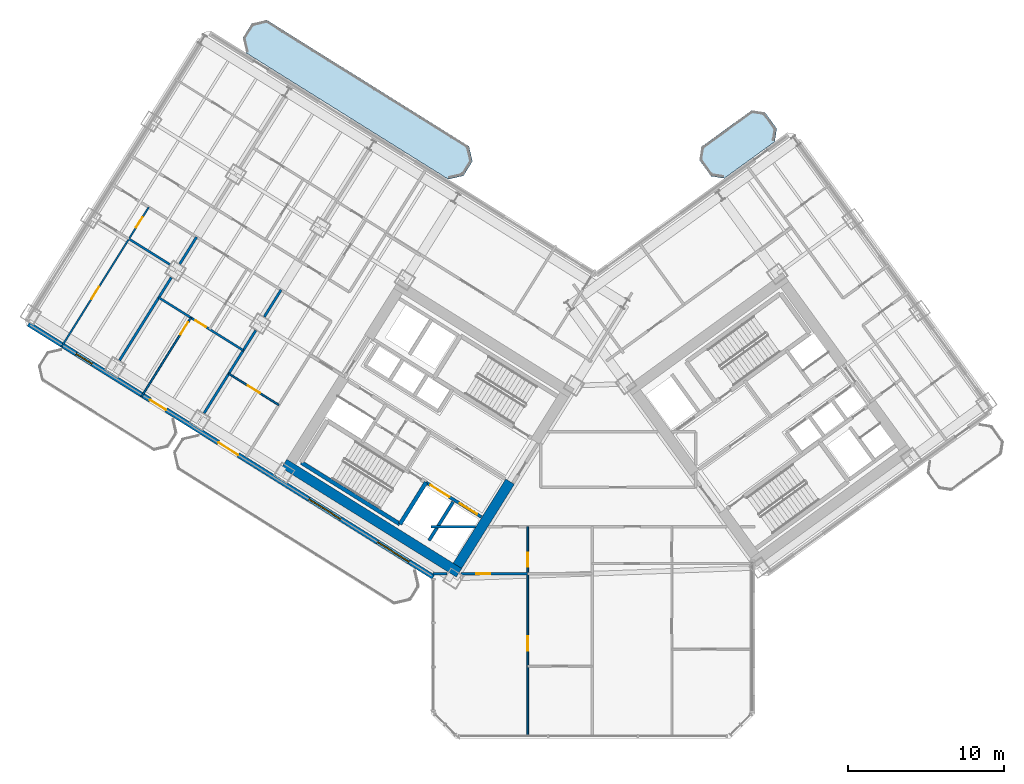
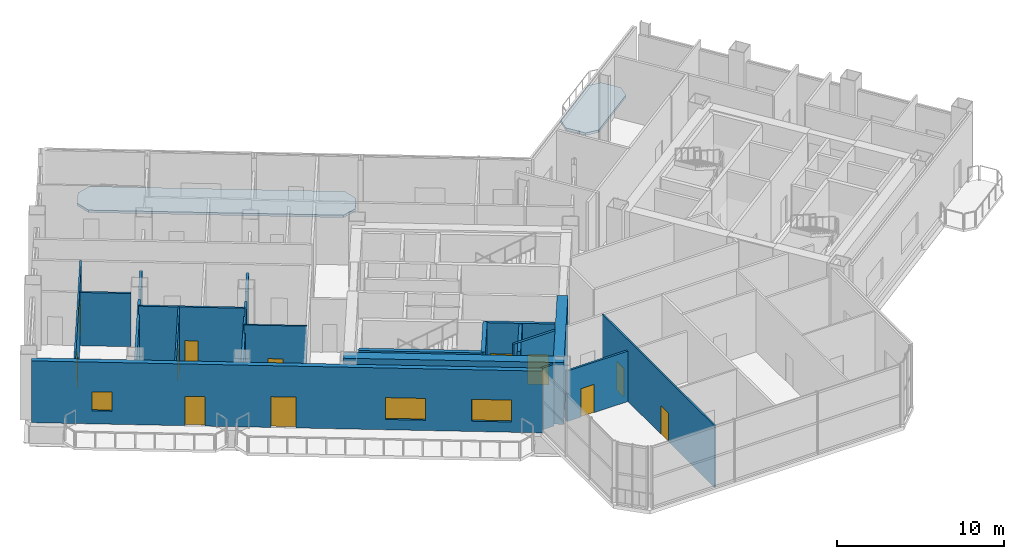
# One storey, part 12 of 22: 20 walls, 12 doors, 3 windows, 2 slabs, 15 openings.
"""IFC4 building model written with IfcOpenShell, lengths in metres."""

from ifc_helpers import new_model, si_unit, direction, frame, frame_2d, origin, place, context, subcontext, project, spatial, polyline, rectangle, outline, extrude, source, transform, mapped, material, layer, layer_set, type_object, element, fill, save


model = new_model("IFC4")

# Units and contexts
model_context = context("Model", 3, precision=1e-05, world=origin(), true_north=direction((0.0, 1.0)))
body_context = subcontext(model_context, "Body", "Model", "MODEL_VIEW")
ifc_project = project(units=[si_unit("LENGTHUNIT", "METRE"), si_unit("AREAUNIT", "SQUARE_METRE"), si_unit("VOLUMEUNIT", "CUBIC_METRE"), si_unit("PLANEANGLEUNIT", "RADIAN"), si_unit("MASSUNIT", "GRAM", prefix="KILO")], contexts=[model_context])

# Site, building, storey
site_placement = place(None, origin())
site = spatial("IfcSite", under=ifc_project, at=site_placement, CompositionType="ELEMENT")
building_placement = place(site_placement, origin())
building = spatial("IfcBuilding", under=site, at=building_placement, Name="Tlacorven Tower", CompositionType="ELEMENT")
storey_placement = place(building_placement, frame((0.0, 0.0, 71.699951171875)))
storey = spatial("IfcBuildingStorey", under=building, at=storey_placement, Name="L18", CompositionType="ELEMENT", Elevation=71.699951171875)

# Slabs
ifc_material_1 = material(Name="Precast concrete C45/55", Category="concrete")
ifc_layer_1 = layer(ifc_material_1, 0.179931640625)
ifc_layer_set_1 = layer_set([ifc_layer_1], Name="Precast concrete C45/55")
slab_type = type_object("IfcSlabType", Name="SL-BAL-180", PredefinedType="USERDEFINED", material=ifc_layer_set_1)
slab_1_placement = place(storey_placement, frame((0.0, 0.0, -0.179931640625)))
element("IfcSlab", 1, at=slab_1_placement, inside=storey, type_object=slab_type, Name="L18 West Wing Balcony Ribbon IN", ObjectType="BALCONY SLAB", PredefinedType="USERDEFINED", context=body_context, shape_type="SweptSolid", body=[
    extrude(outline(polyline([(34.0419921875, 39.835693359375), (21.06689453125, 47.943359375), (20.102294921875, 47.720703125), (19.52197265625, 46.7919921875), (19.744873046875, 45.827392578125), (32.719970703125, 37.7197265625), (33.6845703125, 37.9423828125), (34.2646484375, 38.87109375), (34.0419921875, 39.835693359375)])), origin(), (0.0, 0.0, 1.0), 0.179931640625),
])
slab_2_placement = place(storey_placement, frame((0.0, 0.0, -0.179931640625)))
element("IfcSlab", 2, at=slab_2_placement, inside=storey, type_object=slab_type, Name="L18 East Wing Balcony Ribbon IN", ObjectType="BALCONY SLAB", PredefinedType="USERDEFINED", context=body_context, shape_type="SweptSolid", body=[
    extrude(outline(polyline([(50.433837890625, 37.77880859375), (53.669921875, 40.1298828125), (53.802490234375, 40.968017578125), (53.04150390625, 42.015625), (52.203369140625, 42.1484375), (48.96728515625, 39.79736328125), (48.83447265625, 38.959228515625), (49.595703125, 37.91162109375), (50.433837890625, 37.77880859375)])), origin(), (0.0, 0.0, 1.0), 0.179931640625),
])

# Walls
ifc_material_2 = material(Name="Concrete C60/75", Category="concrete")
ifc_layer_2 = layer(ifc_material_2, 0.64990234375)
ifc_layer_set_2 = layer_set([ifc_layer_2], Name="Concrete C60/75")
wall_type_1 = type_object("IfcWallType", Name="WL-COR-650", PredefinedType="SHEAR", material=ifc_layer_set_2)
wall_1_placement = place(storey_placement, frame((33.40869140625, 12.449951171875, 0.0), z_axis=(0.0, 0.0, 1.0), x_axis=(-0.848051132073, 0.529914405721, 0.0)))
element("IfcWall", 3, at=wall_1_placement, inside=storey, type_object=wall_type_1, Name="L18 W core shear wall S2", PredefinedType="SHEAR", context=body_context, shape_type="SweptSolid", body=[
    extrude(rectangle(XDim=13.239990234375, YDim=0.64990234375, at=frame_2d((6.6201171875, 0.0))), origin(), (0.0, 0.0, 1.0), 4.52001953125),
])
wall_2_placement = place(storey_placement, frame((36.683349609375, 18.30419921875, 0.0), z_axis=(0.0, 0.0, 1.0), x_axis=(-0.529899109053, -0.848060690178, 0.0)))
element("IfcWall", 4, at=wall_2_placement, inside=storey, type_object=wall_type_1, Name="L18 W core end wall E1.2", PredefinedType="SHEAR", context=body_context, shape_type="SweptSolid", body=[
    extrude(rectangle(XDim=6.375244140625, YDim=0.64990234375, at=frame_2d((3.1875, 0.0))), origin(), (0.0, 0.0, 1.0), 4.52001953125),
])
ifc_material_3 = material(Name="Gypsum plasterboard acoustic partition", Category="gypsum")
ifc_layer_3 = layer(ifc_material_3, 0.159912109375)
ifc_layer_set_3 = layer_set([ifc_layer_3], Name="Gypsum plasterboard acoustic partition")
wall_type_2 = type_object("IfcWallType", Name="WL-DEM-160", PredefinedType="PARTITIONING", material=ifc_layer_set_3)
wall_3_placement = place(storey_placement, frame((21.9833984375, 30.614501953125, 0.0), z_axis=(0.0, 0.0, 1.0), x_axis=(-0.529966635742, -0.848018493313, 0.0)))
element("IfcWall", 5, at=wall_3_placement, inside=storey, type_object=wall_type_2, Name="L18 WN Demising Wall 1", PredefinedType="PARTITIONING", context=body_context, shape_type="SweptSolid", body=[
    extrude(rectangle(XDim=2.0380859375, YDim=0.159912109375, at=frame_2d((1.01904296875, 0.0))), origin(), (0.0, 0.0, 1.0), 3.89501953125),
])
wall_4_placement = place(storey_placement, frame((20.360595703125, 28.017822265625, 0.0), z_axis=(0.0, 0.0, 1.0), x_axis=(-0.529915015264, -0.848050751193, 0.0)))
element("IfcWall", 6, at=wall_4_placement, inside=storey, type_object=wall_type_2, Name="L18 WN Demising Wall 1", PredefinedType="PARTITIONING", context=body_context, shape_type="SweptSolid", body=[
    extrude(rectangle(XDim=6.27587890625, YDim=0.159912109375, at=frame_2d((3.137939453125, 0.0))), origin(), (0.0, 0.0, 1.0), 3.89501953125),
])
wall_5_placement = place(storey_placement, frame((16.555908203125, 34.006103515625, 0.0), z_axis=(0.0, 0.0, 1.0), x_axis=(-0.529966635742, -0.848018493313, 0.0)))
element("IfcWall", 7, at=wall_5_placement, inside=storey, type_object=wall_type_2, Name="L18 WN Demising Wall 2", PredefinedType="PARTITIONING", context=body_context, shape_type="SweptSolid", body=[
    extrude(rectangle(XDim=2.0380859375, YDim=0.159912109375, at=frame_2d((1.01904296875, 0.0))), origin(), (0.0, 0.0, 1.0), 3.89501953125),
])
wall_6_placement = place(storey_placement, frame((14.93310546875, 31.409423828125, 0.0), z_axis=(0.0, 0.0, 1.0), x_axis=(-0.529897533635, -0.848061674554, 0.0)))
element("IfcWall", 8, at=wall_6_placement, inside=storey, type_object=wall_type_2, Name="L18 WN Demising Wall 2", PredefinedType="PARTITIONING", context=body_context, shape_type="SweptSolid", body=[
    extrude(rectangle(XDim=6.276123046875, YDim=0.159912109375, at=frame_2d((3.13818359375, 0.0))), origin(), (0.0, 0.0, 1.0), 3.89501953125),
])
wall_7_placement = place(storey_placement, frame((31.60009765625, 15.419921875, 0.0), z_axis=(0.0, 0.0, 1.0), x_axis=(1.0, 0.0, 0.0)))
element("IfcWall", 9, at=wall_7_placement, inside=storey, type_object=wall_type_2, Name="L18 Knuckle Corridor South Wall", PredefinedType="PARTITIONING", context=body_context, shape_type="SweptSolid", body=[
    extrude(rectangle(XDim=2.8662109375, YDim=0.159912109375, at=frame_2d((1.43310546875, 0.0))), origin(), (0.0, 0.0, 1.0), 4.510009765625),
])

# Wall, openings, doors, windows
ifc_layer_4 = layer(ifc_material_1, 0.320068359375)
ifc_layer_set_4 = layer_set([ifc_layer_4], Name="Precast concrete C45/55")
wall_type_3 = type_object("IfcWallType", Name="WL-EXT-320", PredefinedType="STANDARD", material=ifc_layer_set_4)
wall_8_placement = place(storey_placement, frame((31.760009765625, 12.18310546875, 0.0), z_axis=(0.0, 0.0, 1.0), x_axis=(-0.848047074256, 0.529920899612, 0.0)))
wall_8 = element("IfcWall", 10, at=wall_8_placement, inside=storey, type_object=wall_type_3, Name="L18 Masonry-Frame Recessed Facade Wall 1", PredefinedType="STANDARD", context=body_context, shape_type="SweptSolid", body=[
    extrude(rectangle(XDim=30.652099609375, YDim=0.320068359375, at=frame_2d((15.326171875, 0.0))), origin(), (0.0, 0.0, 1.0), 4.52001953125),
])
opening_1_placement = place(wall_8_placement, frame((20.2412109375, 0.0, 0.0)))
opening_1 = element("IfcOpeningElement", 11, at=opening_1_placement, cuts=wall_8, Name="Opening D05", PredefinedType="OPENING", context=body_context, shape_type="SweptSolid", body=[
    extrude(rectangle(XDim=1.199951171875, YDim=2.14990234375, at=frame_2d((0.60009765625, 1.074951171875))), frame((0.0, 0.169921875, 0.0), z_axis=(0.0, -1.0, 0.0), x_axis=(1.0, 0.0, 0.0)), (0.0, 0.0, 1.0), 0.340087890625),
])
opening_2_placement = place(wall_8_placement, frame((14.781494140625, 0.0, 0.0)))
opening_2 = element("IfcOpeningElement", 12, at=opening_2_placement, cuts=wall_8, Name="Opening D04", PredefinedType="OPENING", context=body_context, shape_type="SweptSolid", body=[
    extrude(rectangle(XDim=1.5, YDim=2.25, at=frame_2d((0.75, 1.125))), frame((0.0, 0.169921875, 0.0), z_axis=(0.0, -1.0, 0.0), x_axis=(1.0, 0.0, 0.0)), (0.0, 0.0, 1.0), 0.340087890625),
])
opening_3_placement = place(wall_8_placement, frame((1.839599609375, 0.0, 0.75)))
opening_3 = element("IfcOpeningElement", 13, at=opening_3_placement, cuts=wall_8, Name="Opening WN06", PredefinedType="OPENING", context=body_context, shape_type="SweptSolid", body=[
    extrude(rectangle(XDim=2.39990234375, YDim=1.60009765625, at=frame_2d((1.199951171875, 0.800048828125))), frame((0.0, 0.169921875, 0.0), z_axis=(0.0, -1.0, 0.0), x_axis=(1.0, 0.0, 0.0)), (0.0, 0.0, 1.0), 0.340087890625),
])
opening_4_placement = place(wall_8_placement, frame((7.018798828125, 0.0, 0.75)))
opening_4 = element("IfcOpeningElement", 14, at=opening_4_placement, cuts=wall_8, Name="Opening WN06", PredefinedType="OPENING", context=body_context, shape_type="SweptSolid", body=[
    extrude(rectangle(XDim=2.39990234375, YDim=1.60009765625, at=frame_2d((1.199951171875, 0.800048828125))), frame((0.0, 0.169921875, 0.0), z_axis=(0.0, -1.0, 0.0), x_axis=(1.0, 0.0, 0.0)), (0.0, 0.0, 1.0), 0.340087890625),
])
opening_5_placement = place(wall_8_placement, frame((25.8408203125, 0.0, 0.949951171875)))
opening_5 = element("IfcOpeningElement", 15, at=opening_5_placement, cuts=wall_8, Name="Opening WN03", PredefinedType="OPENING", context=body_context, shape_type="SweptSolid", body=[
    extrude(rectangle(XDim=1.199951171875, YDim=1.39990234375, at=frame_2d((0.60009765625, 0.699951171875))), frame((0.0, 0.169921875, 0.0), z_axis=(0.0, -1.0, 0.0), x_axis=(1.0, 0.0, 0.0)), (0.0, 0.0, 1.0), 0.340087890625),
])
ifc_material_4 = material(Name="Powder-coated aluminium and timber door", Category="wood")
door_type_1 = type_object("IfcDoorType", Name="DR-EXT-BALC-1200", OperationType="NOTDEFINED", PredefinedType="DOOR", material=ifc_material_4)
shared_shape_1 = source(origin(), body_context, "Body", "SweptSolid", [
    extrude(rectangle(XDim=1.199951171875, YDim=2.14990234375, at=frame_2d((0.60009765625, 1.074951171875))), frame((0.0, 0.02490234375, 0.0), z_axis=(0.0, -1.0, 0.0), x_axis=(1.0, 0.0, 0.0)), (0.0, 0.0, 1.0), 0.050048828125),
])
door_1_placement = place(opening_1_placement, origin())
door_1 = element("IfcDoor", 16, at=door_1_placement, inside=storey, type_object=door_type_1, Name="L18 Outdoor Access Door BAL-L18-W-OUT", OperationType="SINGLE_SWING_LEFT", OverallHeight=2.14990234375, OverallWidth=1.199951171875, PredefinedType="DOOR", context=body_context, shape_type="MappedRepresentation", body=[
    mapped(shared_shape_1, transform((0.0, 0.0, 0.0), scale=1.0)),
])
fill(opening_1, door_1)
ifc_material_5 = material(Name="Dark solar low-E double glazing in anodised aluminium frame", Category="aluminium")
window_type_1 = type_object("IfcWindowType", Name="WN-APT-1200X1500", PartitioningType="SINGLE_PANEL", PredefinedType="WINDOW", material=ifc_material_5)
shared_shape_2 = source(origin(), body_context, "Body", "SweptSolid", [
    extrude(rectangle(XDim=1.199951171875, YDim=1.39990234375, at=frame_2d((0.60009765625, 0.699951171875))), frame((0.0, 0.030029296875, 0.0), z_axis=(0.0, -1.0, 0.0), x_axis=(1.0, 0.0, 0.0)), (0.0, 0.0, 1.0), 0.06005859375),
])
window_1_placement = place(opening_5_placement, origin())
window_1 = element("IfcWindow", 17, at=window_1_placement, inside=storey, type_object=window_type_1, Name="L18 Recessed Masonry-Frame Window L18-01.3", OverallHeight=1.39990234375, OverallWidth=1.199951171875, PartitioningType="SINGLE_PANEL", PredefinedType="WINDOW", context=body_context, shape_type="MappedRepresentation", body=[
    mapped(shared_shape_2, transform((0.0, 0.0, 0.0), scale=1.0)),
])
fill(opening_5, window_1)
door_type_2 = type_object("IfcDoorType", Name="DR-EXT-TERR-1500", OperationType="DOUBLE_DOOR_SINGLE_SWING", PredefinedType="DOOR", material=ifc_material_4)
shared_shape_3 = source(origin(), body_context, "Body", "SweptSolid", [
    extrude(rectangle(XDim=1.5, YDim=2.25, at=frame_2d((0.75, 1.125))), frame((0.0, 0.02490234375, 0.0), z_axis=(0.0, -1.0, 0.0), x_axis=(1.0, 0.0, 0.0)), (0.0, 0.0, 1.0), 0.050048828125),
])
door_2_placement = place(opening_2_placement, origin())
door_2 = element("IfcDoor", 18, at=door_2_placement, inside=storey, type_object=door_type_2, Name="L18 Outdoor Access Door TER-L18-SGW", OperationType="DOUBLE_DOOR_SINGLE_SWING", OverallHeight=2.25, OverallWidth=1.5, PredefinedType="DOOR", context=body_context, shape_type="MappedRepresentation", body=[
    mapped(shared_shape_3, transform((0.0, 0.0, 0.0), scale=1.0)),
])
fill(opening_2, door_2)
window_type_2 = type_object("IfcWindowType", Name="WN-APT-2400X1800", PartitioningType="SINGLE_PANEL", PredefinedType="WINDOW", material=ifc_material_5)
shared_shape_4 = source(origin(), body_context, "Body", "SweptSolid", [
    extrude(rectangle(XDim=2.39990234375, YDim=1.60009765625, at=frame_2d((1.199951171875, 0.800048828125))), frame((0.0, 0.030029296875, 0.0), z_axis=(0.0, -1.0, 0.0), x_axis=(1.0, 0.0, 0.0)), (0.0, 0.0, 1.0), 0.06005859375),
])
window_2_placement = place(opening_3_placement, origin())
window_2 = element("IfcWindow", 19, at=window_2_placement, inside=storey, type_object=window_type_2, Name="L18 Recessed Masonry-Frame Window L18-01.1", OverallHeight=1.60009765625, OverallWidth=2.39990234375, PartitioningType="SINGLE_PANEL", PredefinedType="WINDOW", context=body_context, shape_type="MappedRepresentation", body=[
    mapped(shared_shape_4, transform((0.0, 0.0, 0.0), scale=1.0)),
])
fill(opening_3, window_2)
window_3_placement = place(opening_4_placement, origin())
window_3 = element("IfcWindow", 20, at=window_3_placement, inside=storey, type_object=window_type_2, Name="L18 Recessed Masonry-Frame Window L18-01.2", OverallHeight=1.60009765625, OverallWidth=2.39990234375, PartitioningType="SINGLE_PANEL", PredefinedType="WINDOW", context=body_context, shape_type="MappedRepresentation", body=[
    mapped(shared_shape_4, transform((0.0, 0.0, 0.0), scale=1.0)),
])
fill(opening_4, window_3)

# Wall, opening, door
ifc_material_6 = material(Name="Gypsum plasterboard partition", Category="gypsum")
ifc_layer_5 = layer(ifc_material_6, 0.110107421875)
ifc_layer_set_5 = layer_set([ifc_layer_5], Name="Gypsum plasterboard partition")
wall_type_4 = type_object("IfcWallType", Name="WL-INT-110", PredefinedType="PARTITIONING", material=ifc_layer_set_5)
wall_9_placement = place(storey_placement, frame((21.836669921875, 23.227783203125, 0.0), z_axis=(0.0, 0.0, 1.0), x_axis=(-0.84803087207, 0.529946827537, 0.0)))
wall_9 = element("IfcWall", 21, at=wall_9_placement, inside=storey, type_object=wall_type_4, Name="L18 partition 57", PredefinedType="PARTITIONING", context=body_context, shape_type="SweptSolid", body=[
    extrude(rectangle(XDim=3.7900390625, YDim=0.110107421875, at=frame_2d((1.89501953125, 0.0))), origin(), (0.0, 0.0, 1.0), 4.510009765625),
])
opening_6_placement = place(wall_9_placement, frame((1.43505859375, 0.0, 0.0)))
opening_6 = element("IfcOpeningElement", 22, at=opening_6_placement, cuts=wall_9, Name="Opening D12", PredefinedType="OPENING", context=body_context, shape_type="SweptSolid", body=[
    extrude(rectangle(XDim=0.919921875, YDim=2.080078125, at=frame_2d((0.4599609375, 1.0400390625))), frame((0.0, 0.06494140625, 0.0), z_axis=(0.0, -1.0, 0.0), x_axis=(1.0, 0.0, 0.0)), (0.0, 0.0, 1.0), 0.130126953125),
])
door_type_3 = type_object("IfcDoorType", Name="DR-INT-ROOM-0920", OperationType="NOTDEFINED", PredefinedType="DOOR", material=ifc_material_4)
shared_shape_5 = source(origin(), body_context, "Body", "SweptSolid", [
    extrude(rectangle(XDim=0.919921875, YDim=2.080078125, at=frame_2d((0.4599609375, 1.0400390625))), frame((0.0, 0.02490234375, 0.0), z_axis=(0.0, -1.0, 0.0), x_axis=(1.0, 0.0, 0.0)), (0.0, 0.0, 1.0), 0.050048828125),
])
door_3_placement = place(opening_6_placement, origin())
door_3 = element("IfcDoor", 23, at=door_3_placement, inside=storey, type_object=door_type_3, Name="L18 door 024", OperationType="SINGLE_SWING_RIGHT", OverallHeight=2.080078125, OverallWidth=0.919921875, PredefinedType="DOOR", context=body_context, shape_type="MappedRepresentation", body=[
    mapped(shared_shape_5, transform((0.0, 0.0, 0.0), scale=1.0)),
])
fill(opening_6, door_3)

wall_10_placement = place(storey_placement, frame((16.191162109375, 28.833251953125, 0.0), z_axis=(0.0, 0.0, 1.0), x_axis=(-0.529900017123, -0.848060122782, 0.0)))
wall_10 = element("IfcWall", 24, at=wall_10_placement, inside=storey, type_object=wall_type_4, Name="L18 partition 61", PredefinedType="PARTITIONING", context=body_context, shape_type="SweptSolid", body=[
    extrude(rectangle(XDim=5.989990234375, YDim=0.110107421875, at=frame_2d((2.9951171875, 0.0))), origin(), (0.0, 0.0, 1.0), 4.510009765625),
])
opening_7_placement = place(wall_10_placement, frame((0.35009765625, 0.0, 0.0)))
opening_7 = element("IfcOpeningElement", 25, at=opening_7_placement, cuts=wall_10, Name="Opening D12", PredefinedType="OPENING", context=body_context, shape_type="SweptSolid", body=[
    extrude(rectangle(XDim=0.919921875, YDim=2.080078125, at=frame_2d((0.4599609375, 1.0400390625))), frame((0.0, 0.06494140625, 0.0), z_axis=(0.0, -1.0, 0.0), x_axis=(1.0, 0.0, 0.0)), (0.0, 0.0, 1.0), 0.130126953125),
])
door_4_placement = place(opening_7_placement, origin())
door_4 = element("IfcDoor", 26, at=door_4_placement, inside=storey, type_object=door_type_3, Name="L18 door 025", OperationType="SINGLE_SWING_LEFT", OverallHeight=2.080078125, OverallWidth=0.919921875, PredefinedType="DOOR", context=body_context, shape_type="MappedRepresentation", body=[
    mapped(shared_shape_5, transform((0.0, 0.0, 0.0), scale=1.0)),
])
fill(opening_7, door_4)

# Wall, openings, doors
wall_11_placement = place(storey_placement, frame((13.48583984375, 35.92431640625, 0.0), z_axis=(0.0, 0.0, 1.0), x_axis=(-0.529924195719, -0.848045014602, 0.0)))
wall_11 = element("IfcWall", 27, at=wall_11_placement, inside=storey, type_object=wall_type_4, Name="L18 partition 62", PredefinedType="PARTITIONING", context=body_context, shape_type="SweptSolid", body=[
    extrude(rectangle(XDim=10.570068359375, YDim=0.110107421875, at=frame_2d((5.28515625, 0.0))), origin(), (0.0, 0.0, 1.0), 4.510009765625),
])
opening_8_placement = place(wall_11_placement, frame((0.760009765625, 0.0, 0.0)))
opening_8 = element("IfcOpeningElement", 28, at=opening_8_placement, cuts=wall_11, Name="Opening D22", PredefinedType="OPENING", context=body_context, shape_type="SweptSolid", body=[
    extrude(rectangle(XDim=0.780029296875, YDim=2.050048828125, at=frame_2d((0.39013671875, 1.02490234375))), frame((0.0, 0.06494140625, 0.0), z_axis=(0.0, -1.0, 0.0), x_axis=(1.0, 0.0, 0.0)), (0.0, 0.0, 1.0), 0.130126953125),
])
opening_9_placement = place(wall_11_placement, frame((6.02490234375, 0.0, 0.0)))
opening_9 = element("IfcOpeningElement", 29, at=opening_9_placement, cuts=wall_11, Name="Opening D12", PredefinedType="OPENING", context=body_context, shape_type="SweptSolid", body=[
    extrude(rectangle(XDim=0.919921875, YDim=2.080078125, at=frame_2d((0.4599609375, 1.0400390625))), frame((0.0, 0.06494140625, 0.0), z_axis=(0.0, -1.0, 0.0), x_axis=(1.0, 0.0, 0.0)), (0.0, 0.0, 1.0), 0.130126953125),
])
door_type_4 = type_object("IfcDoorType", Name="DR-INT-WET-0780", OperationType="NOTDEFINED", PredefinedType="DOOR", material=ifc_material_4)
shared_shape_6 = source(origin(), body_context, "Body", "SweptSolid", [
    extrude(rectangle(XDim=0.780029296875, YDim=2.050048828125, at=frame_2d((0.39013671875, 1.02490234375))), frame((0.0, 0.02490234375, 0.0), z_axis=(0.0, -1.0, 0.0), x_axis=(1.0, 0.0, 0.0)), (0.0, 0.0, 1.0), 0.050048828125),
])
door_5_placement = place(opening_8_placement, origin())
door_5 = element("IfcDoor", 30, at=door_5_placement, inside=storey, type_object=door_type_4, Name="L18 door 032", OperationType="SINGLE_SWING_RIGHT", OverallHeight=2.050048828125, OverallWidth=0.780029296875, PredefinedType="DOOR", context=body_context, shape_type="MappedRepresentation", body=[
    mapped(shared_shape_6, transform((0.0, 0.0, 0.0), scale=1.0)),
])
fill(opening_8, door_5)
door_6_placement = place(opening_9_placement, origin())
door_6 = element("IfcDoor", 31, at=door_6_placement, inside=storey, type_object=door_type_3, Name="L18 door 033", OperationType="SINGLE_SWING_LEFT", OverallHeight=2.080078125, OverallWidth=0.919921875, PredefinedType="DOOR", context=body_context, shape_type="MappedRepresentation", body=[
    mapped(shared_shape_5, transform((0.0, 0.0, 0.0), scale=1.0)),
])
fill(opening_9, door_6)

wall_12_placement = place(storey_placement, frame((37.81298828125, 1.9599609375, 0.0), z_axis=(0.0, 0.0, 1.0), x_axis=(0.0, 1.0, 0.0)))
wall_12 = element("IfcWall", 32, at=wall_12_placement, inside=storey, type_object=wall_type_4, Name="L18 partition 86", PredefinedType="PARTITIONING", context=body_context, shape_type="SweptSolid", body=[
    extrude(rectangle(XDim=13.4599609375, YDim=0.110107421875, at=frame_2d((6.72998046875, 0.0))), origin(), (0.0, 0.0, 1.0), 4.510009765625),
])
opening_10_placement = place(wall_12_placement, frame((5.5, 0.0, 0.0)))
opening_10 = element("IfcOpeningElement", 33, at=opening_10_placement, cuts=wall_12, Name="Opening D12", PredefinedType="OPENING", context=body_context, shape_type="SweptSolid", body=[
    extrude(rectangle(XDim=0.919921875, YDim=2.080078125, at=frame_2d((0.4599609375, 1.0400390625))), frame((0.0, 0.06494140625, 0.0), z_axis=(0.0, -1.0, 0.0), x_axis=(1.0, 0.0, 0.0)), (0.0, 0.0, 1.0), 0.130126953125),
])
opening_11_placement = place(wall_12_placement, frame((10.889892578125, 0.0, 0.0)))
opening_11 = element("IfcOpeningElement", 34, at=opening_11_placement, cuts=wall_12, Name="Opening D13", PredefinedType="OPENING", context=body_context, shape_type="SweptSolid", body=[
    extrude(rectangle(XDim=0.8798828125, YDim=2.080078125, at=frame_2d((0.43994140625, 1.0400390625))), frame((0.0, 0.06494140625, 0.0), z_axis=(0.0, -1.0, 0.0), x_axis=(1.0, 0.0, 0.0)), (0.0, 0.0, 1.0), 0.130126953125),
])
door_type_5 = type_object("IfcDoorType", Name="DR-INT-WET-0880", OperationType="NOTDEFINED", PredefinedType="DOOR", material=ifc_material_4)
shared_shape_7 = source(origin(), body_context, "Body", "SweptSolid", [
    extrude(rectangle(XDim=0.8798828125, YDim=2.080078125, at=frame_2d((0.43994140625, 1.0400390625))), frame((0.0, 0.02490234375, 0.0), z_axis=(0.0, -1.0, 0.0), x_axis=(1.0, 0.0, 0.0)), (0.0, 0.0, 1.0), 0.050048828125),
])
door_7_placement = place(opening_11_placement, origin())
door_7 = element("IfcDoor", 35, at=door_7_placement, inside=storey, type_object=door_type_5, Name="L18 door 052", OperationType="SINGLE_SWING_LEFT", OverallHeight=2.080078125, OverallWidth=0.8798828125, PredefinedType="DOOR", context=body_context, shape_type="MappedRepresentation", body=[
    mapped(shared_shape_7, transform((0.0, 0.0, 0.0), scale=1.0)),
])
fill(opening_11, door_7)
door_8_placement = place(opening_10_placement, origin())
door_8 = element("IfcDoor", 36, at=door_8_placement, inside=storey, type_object=door_type_3, Name="L18 door 048", OperationType="SINGLE_SWING_LEFT", OverallHeight=2.080078125, OverallWidth=0.919921875, PredefinedType="DOOR", context=body_context, shape_type="MappedRepresentation", body=[
    mapped(shared_shape_5, transform((0.0, 0.0, 0.0), scale=1.0)),
])
fill(opening_10, door_8)

# Wall, opening, door
ifc_material_7 = material(Name="Moisture-resistant gypsum plumbing wall", Category="gypsum")
ifc_layer_6 = layer(ifc_material_7, 0.139892578125)
ifc_layer_set_6 = layer_set([ifc_layer_6], Name="Moisture-resistant gypsum plumbing wall")
wall_type_5 = type_object("IfcWallType", Name="WL-PLM-140", PredefinedType="PLUMBINGWALL", material=ifc_layer_set_6)
wall_13_placement = place(storey_placement, frame((19.556396484375, 26.73046875, 0.0), z_axis=(0.0, 0.0, 1.0), x_axis=(-0.848049732085, 0.529916646191, 0.0)))
wall_13 = element("IfcWall", 37, at=wall_13_placement, inside=storey, type_object=wall_type_5, Name="L18 partition 59", PredefinedType="PLUMBINGWALL", context=body_context, shape_type="SweptSolid", body=[
    extrude(rectangle(XDim=6.400146484375, YDim=0.139892578125, at=frame_2d((3.2001953125, 0.0))), origin(), (0.0, 0.0, 1.0), 4.510009765625),
])
opening_12_placement = place(wall_13_placement, frame((2.823974609375, 0.0, 0.0)))
opening_12 = element("IfcOpeningElement", 38, at=opening_12_placement, cuts=wall_13, Name="Opening D22", PredefinedType="OPENING", context=body_context, shape_type="SweptSolid", body=[
    extrude(rectangle(XDim=0.780029296875, YDim=2.050048828125, at=frame_2d((0.39013671875, 1.02490234375))), frame((0.0, 0.080078125, 0.0), z_axis=(0.0, -1.0, 0.0), x_axis=(1.0, 0.0, 0.0)), (0.0, 0.0, 1.0), 0.159912109375),
])
door_9_placement = place(opening_12_placement, origin())
door_9 = element("IfcDoor", 39, at=door_9_placement, inside=storey, type_object=door_type_4, Name="L18 door 027", OperationType="SINGLE_SWING_LEFT", OverallHeight=2.050048828125, OverallWidth=0.780029296875, PredefinedType="DOOR", context=body_context, shape_type="MappedRepresentation", body=[
    mapped(shared_shape_6, transform((0.0, 0.0, 0.0), scale=1.0)),
])
fill(opening_12, door_9)

# Walls
wall_14_placement = place(storey_placement, frame((14.849853515625, 32.2421875, 0.0), z_axis=(0.0, 0.0, 1.0), x_axis=(-0.848051256418, 0.529914206724, 0.0)))
element("IfcWall", 40, at=wall_14_placement, inside=storey, type_object=wall_type_5, Name="L18 partition 65", PredefinedType="PLUMBINGWALL", context=body_context, shape_type="SweptSolid", body=[
    extrude(rectangle(XDim=3.10791015625, YDim=0.139892578125, at=frame_2d((1.553955078125, 0.0))), origin(), (0.0, 0.0, 1.0), 3.89501953125),
])
wall_15_placement = place(storey_placement, frame((31.739990234375, 12.389892578125, 0.0), z_axis=(0.0, 0.0, 1.0), x_axis=(1.0, 0.0, 0.0)))
element("IfcWall", 41, at=wall_15_placement, inside=storey, type_object=wall_type_5, Name="L18 partition 87", PredefinedType="PLUMBINGWALL", context=body_context, shape_type="SweptSolid", body=[
    extrude(rectangle(XDim=0.891845703125, YDim=0.139892578125, at=frame_2d((0.44580078125, 0.0))), origin(), (0.0, 0.0, 1.0), 4.510009765625),
])

# Wall, opening, door
wall_16_placement = place(storey_placement, frame((33.52734375, 12.389892578125, 0.0), z_axis=(0.0, 0.0, 1.0), x_axis=(1.0, 0.0, 0.0)))
wall_16 = element("IfcWall", 42, at=wall_16_placement, inside=storey, type_object=wall_type_5, Name="L18 partition 87", PredefinedType="PLUMBINGWALL", context=body_context, shape_type="SweptSolid", body=[
    extrude(rectangle(XDim=4.28564453125, YDim=0.139892578125, at=frame_2d((2.142822265625, 0.0))), origin(), (0.0, 0.0, 1.0), 3.695068359375),
])
opening_13_placement = place(wall_16_placement, frame((0.96923828125, 0.0, 0.0)))
opening_13 = element("IfcOpeningElement", 43, at=opening_13_placement, cuts=wall_16, Name="Opening D12", PredefinedType="OPENING", context=body_context, shape_type="SweptSolid", body=[
    extrude(rectangle(XDim=0.919921875, YDim=2.080078125, at=frame_2d((0.4599609375, 1.0400390625))), frame((0.0, 0.080078125, 0.0), z_axis=(0.0, -1.0, 0.0), x_axis=(1.0, 0.0, 0.0)), (0.0, 0.0, 1.0), 0.159912109375),
])
door_10_placement = place(opening_13_placement, frame((0.919921875, 0.0, 0.0), z_axis=(0.0, 0.0, 1.0), x_axis=(-1.0, 0.0, 0.0)))
door_10 = element("IfcDoor", 44, at=door_10_placement, inside=storey, type_object=door_type_3, Name="L18 door 051", OperationType="SINGLE_SWING_RIGHT", OverallHeight=2.080078125, OverallWidth=0.919921875, PredefinedType="DOOR", context=body_context, shape_type="MappedRepresentation", body=[
    mapped(shared_shape_5, transform((0.0, 0.0, 0.0), scale=1.0)),
])
fill(opening_13, door_10)

# Wall, openings, doors
ifc_material_8 = material(Name="Concrete C40/50", Category="concrete")
ifc_layer_7 = layer(ifc_material_8, 0.199951171875)
ifc_layer_set_7 = layer_set([ifc_layer_7], Name="Concrete C40/50")
wall_type_6 = type_object("IfcWallType", Name="WL-SHF-200", PredefinedType="STANDARD", material=ifc_layer_set_7)
wall_17_placement = place(storey_placement, frame((34.84814453125, 16.03125, 0.0), z_axis=(0.0, 0.0, 1.0), x_axis=(-0.848044042236, 0.529925751807, 0.0)))
wall_17 = element("IfcWall", 45, at=wall_17_placement, inside=storey, type_object=wall_type_6, Name="L18 Core W Firefighting Lift Shaft Front Wall", PredefinedType="STANDARD", context=body_context, shape_type="SweptSolid", body=[
    extrude(rectangle(XDim=4.197998046875, YDim=0.199951171875, at=frame_2d((2.09912109375, 0.0))), origin(), (0.0, 0.0, 1.0), 4.510009765625),
])
opening_14_placement = place(wall_17_placement, frame((0.347900390625, 0.0, 0.0)))
opening_14 = element("IfcOpeningElement", 46, at=opening_14_placement, cuts=wall_17, Name="Opening LD03", PredefinedType="OPENING", context=body_context, shape_type="SweptSolid", body=[
    extrude(rectangle(XDim=1.300048828125, YDim=2.199951171875, at=frame_2d((0.64990234375, 1.10009765625))), frame((0.0, 0.10986328125, 0.0), z_axis=(0.0, -1.0, 0.0), x_axis=(1.0, 0.0, 0.0)), (0.0, 0.0, 1.0), 0.219970703125),
])
opening_15_placement = place(wall_17_placement, frame((2.423095703125, 0.0, 0.0)))
opening_15 = element("IfcOpeningElement", 47, at=opening_15_placement, cuts=wall_17, Name="Opening LD04", PredefinedType="OPENING", context=body_context, shape_type="SweptSolid", body=[
    extrude(rectangle(XDim=1.449951171875, YDim=2.25, at=frame_2d((0.72509765625, 1.125))), frame((0.0, 0.10986328125, 0.0), z_axis=(0.0, -1.0, 0.0), x_axis=(1.0, 0.0, 0.0)), (0.0, 0.0, 1.0), 0.219970703125),
])
ifc_material_9 = material(Name="Fire-rated steel door assembly", Category="steel")
door_type_6 = type_object("IfcDoorType", Name="DR-LFT-SLID-1300", OperationType="DOUBLE_DOOR_SLIDING", PredefinedType="DOOR", material=ifc_material_9)
shared_shape_8 = source(origin(), body_context, "Body", "SweptSolid", [
    extrude(rectangle(XDim=1.300048828125, YDim=2.199951171875, at=frame_2d((0.64990234375, 1.10009765625))), frame((0.0, 0.02490234375, 0.0), z_axis=(0.0, -1.0, 0.0), x_axis=(1.0, 0.0, 0.0)), (0.0, 0.0, 1.0), 0.050048828125),
])
door_11_placement = place(opening_14_placement, origin())
door_11 = element("IfcDoor", 48, at=door_11_placement, inside=storey, type_object=door_type_6, Name="L18 Lift FFL-W1 Sliding Landing Door", OperationType="DOUBLE_DOOR_SLIDING", OverallHeight=2.199951171875, OverallWidth=1.300048828125, PredefinedType="DOOR", context=body_context, shape_type="MappedRepresentation", body=[
    mapped(shared_shape_8, transform((0.0, 0.0, 0.0), scale=1.0)),
])
fill(opening_14, door_11)
door_type_7 = type_object("IfcDoorType", Name="DR-LFT-SLID-1450", OperationType="DOUBLE_DOOR_SLIDING", PredefinedType="DOOR", material=ifc_material_9)
shared_shape_9 = source(origin(), body_context, "Body", "SweptSolid", [
    extrude(rectangle(XDim=1.449951171875, YDim=2.25, at=frame_2d((0.72509765625, 1.125))), frame((0.0, 0.02490234375, 0.0), z_axis=(0.0, -1.0, 0.0), x_axis=(1.0, 0.0, 0.0)), (0.0, 0.0, 1.0), 0.050048828125),
])
door_12_placement = place(opening_15_placement, origin())
door_12 = element("IfcDoor", 49, at=door_12_placement, inside=storey, type_object=door_type_7, Name="L18 Lift SVL-W1 Sliding Landing Door", OperationType="DOUBLE_DOOR_SLIDING", OverallHeight=2.25, OverallWidth=1.449951171875, PredefinedType="DOOR", context=body_context, shape_type="MappedRepresentation", body=[
    mapped(shared_shape_9, transform((0.0, 0.0, 0.0), scale=1.0)),
])
fill(opening_15, door_12)

# Walls
wall_18_placement = place(storey_placement, frame((33.02880859375, 17.003173828125, 0.0), z_axis=(0.0, 0.0, 1.0), x_axis=(-0.529916267533, -0.848049968695, 0.0)))
element("IfcWall", 50, at=wall_18_placement, inside=storey, type_object=wall_type_6, Name="L18 partition 14", PredefinedType="STANDARD", context=body_context, shape_type="SweptSolid", body=[
    extrude(rectangle(XDim=2.919921875, YDim=0.199951171875, at=frame_2d((1.4599609375, 0.0))), origin(), (0.0, 0.0, 1.0), 4.510009765625),
])
ifc_material_10 = material(Name="Concrete C50/60", Category="concrete")
ifc_layer_8 = layer(ifc_material_10, 0.260009765625)
ifc_layer_set_8 = layer_set([ifc_layer_8], Name="Concrete C50/60")
wall_type_7 = type_object("IfcWallType", Name="WL-STW-260", PredefinedType="SHEAR", material=ifc_layer_set_8)
wall_19_placement = place(storey_placement, frame((29.60498046875, 15.581298828125, 0.0), z_axis=(0.0, 0.0, 1.0), x_axis=(-0.848036911448, 0.529937163087, 0.0)))
element("IfcWall", 51, at=wall_19_placement, inside=storey, type_object=wall_type_7, Name="L18 Stair W1 Far Shear Wall", PredefinedType="SHEAR", context=body_context, shape_type="SweptSolid", body=[
    extrude(rectangle(XDim=7.4599609375, YDim=0.260009765625, at=frame_2d((3.72998046875, 0.0))), origin(), (0.0, 0.0, 1.0), 4.52001953125),
])
wall_20_placement = place(storey_placement, frame((31.2880859375, 18.255859375, 0.0), z_axis=(0.0, 0.0, 1.0), x_axis=(-0.529943379326, -0.848033026897, 0.0)))
element("IfcWall", 52, at=wall_20_placement, inside=storey, type_object=wall_type_7, Name="L18 Stair W1 West Shear Wall", PredefinedType="SHEAR", context=body_context, shape_type="SweptSolid", body=[
    extrude(rectangle(XDim=3.159912109375, YDim=0.260009765625, at=frame_2d((1.580078125, 0.0))), origin(), (0.0, 0.0, 1.0), 4.52001953125),
])

save(model, "model.ifc")
